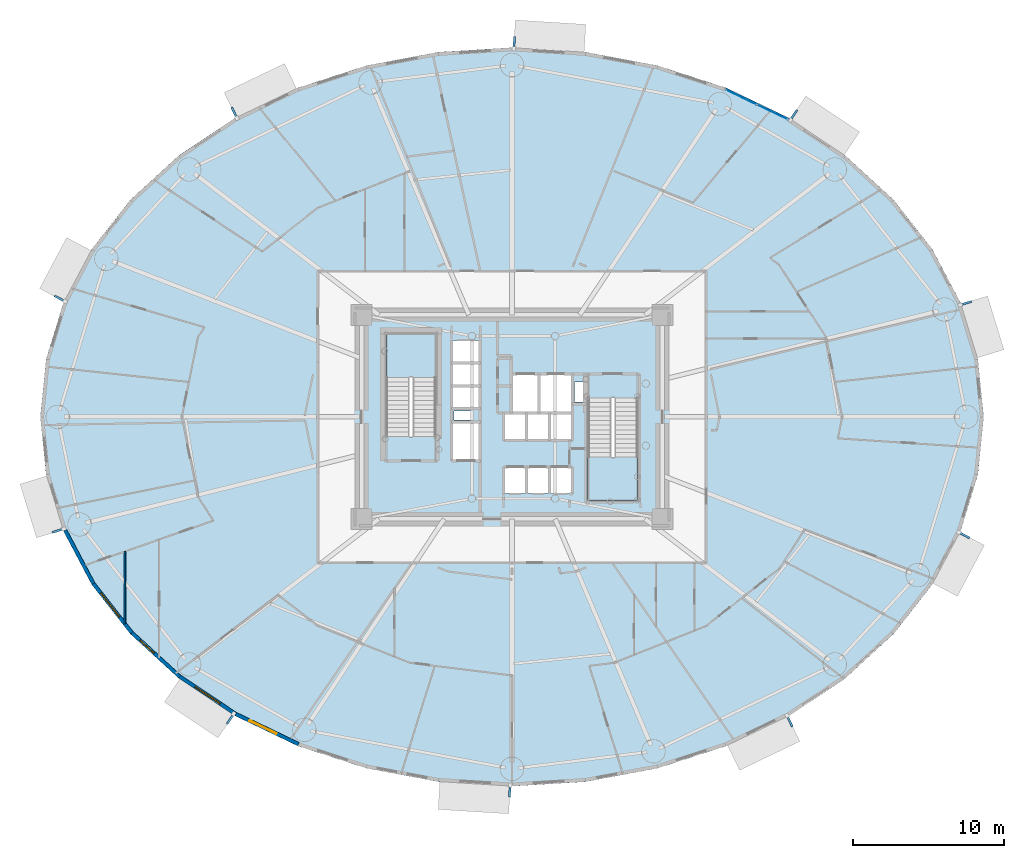
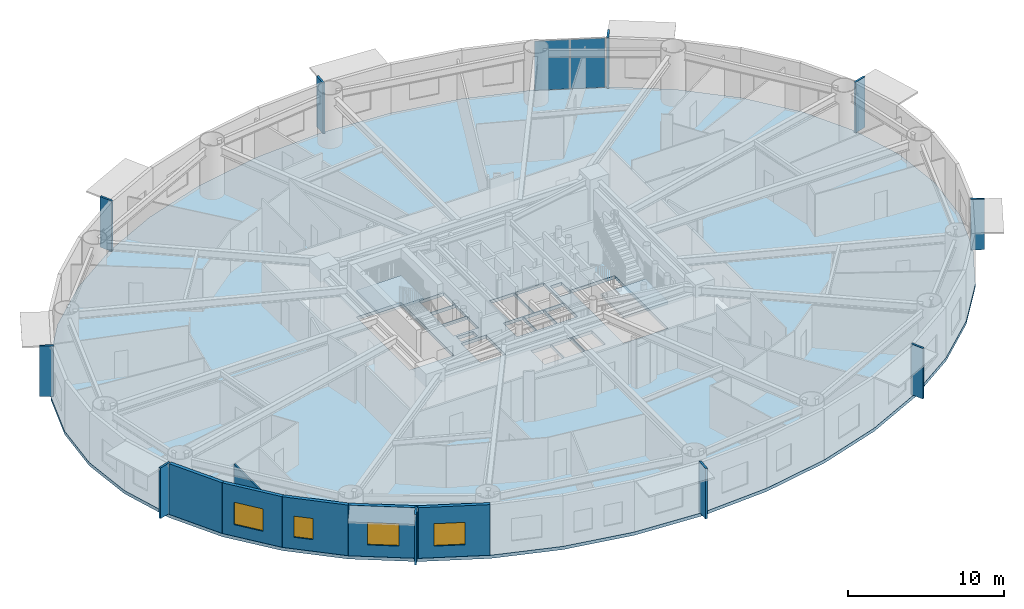
# One storey, part 7 of 21: 12 plates, 6 walls, 4 windows, 3 slabs, 4 openings, 3 elements without a shape of their own.
"""IFC4 building model written with IfcOpenShell, lengths in metres."""

from ifc_helpers import new_model, si_unit, direction, frame, frame_2d, origin, origin_2d, place, context, subcontext, project, spatial, polyline, rectangle, outline, extrude, source, transform, mapped, material, layer, layer_set, type_object, element, fill, aggregate, save


model = new_model("IFC4")

# Units and contexts
model_context = context("Model", 3, precision=1e-05, world=origin(), true_north=direction((0.0, 1.0)))
body_context = subcontext(model_context, "Body", "Model", "MODEL_VIEW")
ifc_project = project(units=[si_unit("LENGTHUNIT", "METRE"), si_unit("AREAUNIT", "SQUARE_METRE"), si_unit("VOLUMEUNIT", "CUBIC_METRE"), si_unit("PLANEANGLEUNIT", "RADIAN"), si_unit("MASSUNIT", "GRAM", prefix="KILO")], contexts=[model_context])

# Site, building, storey
site_placement = place(None, origin())
site = spatial("IfcSite", under=ifc_project, at=site_placement, CompositionType="ELEMENT")
building_placement = place(site_placement, origin())
building = spatial("IfcBuilding", under=site, at=building_placement, Name="Linh Dai School and Residence Tower", CompositionType="ELEMENT")
storey_placement = place(building_placement, frame((0.0, 0.0, 78.60009765625)))
storey = spatial("IfcBuildingStorey", under=building, at=storey_placement, Name="L18", CompositionType="ELEMENT", Elevation=78.60009765625)

# Slab
ifc_material_1 = material(Name="Concrete B45 (C35/45)", Category="concrete")
ifc_layer_1 = layer(ifc_material_1, 0.25)
ifc_layer_set_1 = layer_set([ifc_layer_1], Name="Concrete B45 (C35/45)")
slab_type_1 = type_object("IfcSlabType", Name="SLB-FLR250", PredefinedType="FLOOR", material=ifc_layer_set_1)
slab_1_placement = place(storey_placement, frame((0.0, 0.0, -0.25)))
element("IfcSlab", 1, at=slab_1_placement, inside=storey, type_object=slab_type_1, Name="L18 Composite Structural Floor Slab", PredefinedType="FLOOR", context=body_context, shape_type="SweptSolid", body=[
    extrude(outline(polyline([(67.199951171875, 27.0), (66.81591796875, 30.82177734375), (65.6728515625, 34.54931640625), (63.79931640625, 38.091064453125), (61.2412109375, 41.359619140625), (58.061767578125, 44.274658203125), (54.3388671875, 46.764404296875), (50.16455078125, 48.767333984375), (45.641357421875, 50.234375), (40.880859375, 51.129150390625), (36.0, 51.429931640625), (31.119140625, 51.129150390625), (26.358642578125, 50.234375), (21.83544921875, 48.767333984375), (17.6611328125, 46.764404296875), (13.938232421875, 44.274658203125), (10.7587890625, 41.359619140625), (8.20068359375, 38.091064453125), (6.3271484375, 34.54931640625), (5.18408203125, 30.82177734375), (4.800048828125, 27.0), (5.18408203125, 23.17822265625), (6.3271484375, 19.45068359375), (8.20068359375, 15.908935546875), (10.7587890625, 12.640380859375), (13.938232421875, 9.725341796875), (17.6611328125, 7.235595703125), (21.83544921875, 5.232666015625), (26.358642578125, 3.765625), (31.119140625, 2.870849609375), (36.0, 2.570068359375), (40.880859375, 2.870849609375), (45.641357421875, 3.765625), (50.16455078125, 5.232666015625), (54.3388671875, 7.235595703125), (58.061767578125, 9.725341796875), (61.2412109375, 12.640380859375), (63.79931640625, 15.908935546875), (65.6728515625, 19.45068359375), (66.81591796875, 23.17822265625), (67.199951171875, 27.0)]), holes=[polyline([(30.97998046875, 25.699951171875), (30.97998046875, 32.5), (27.679931640625, 32.5), (27.679931640625, 25.699951171875), (30.97998046875, 25.699951171875)]), polyline([(41.02001953125, 28.25), (41.02001953125, 21.449951171875), (44.320068359375, 21.449951171875), (44.320068359375, 28.25), (41.02001953125, 28.25)]), polyline([(35.97998046875, 27.280029296875), (37.77001953125, 27.280029296875), (37.77001953125, 29.820068359375), (35.97998046875, 29.820068359375), (35.97998046875, 27.280029296875)]), polyline([(32.030029296875, 24.1298828125), (33.8701171875, 24.1298828125), (33.8701171875, 26.6201171875), (32.030029296875, 26.6201171875), (32.030029296875, 24.1298828125)]), polyline([(37.830078125, 27.280029296875), (39.969970703125, 27.280029296875), (39.969970703125, 29.820068359375), (37.830078125, 29.820068359375), (37.830078125, 27.280029296875)]), polyline([(35.47998046875, 21.929931640625), (36.929931640625, 21.929931640625), (36.929931640625, 23.669921875), (35.47998046875, 23.669921875), (35.47998046875, 21.929931640625)]), polyline([(36.989990234375, 21.929931640625), (38.449951171875, 21.929931640625), (38.449951171875, 23.669921875), (36.989990234375, 23.669921875), (36.989990234375, 21.929931640625)]), polyline([(38.510009765625, 21.929931640625), (39.969970703125, 21.929931640625), (39.969970703125, 23.669921875), (38.510009765625, 23.669921875), (38.510009765625, 21.929931640625)]), polyline([(32.030029296875, 27.580078125), (33.8701171875, 27.580078125), (33.8701171875, 29.030029296875), (32.030029296875, 29.030029296875), (32.030029296875, 27.580078125)]), polyline([(32.030029296875, 29.090087890625), (33.8701171875, 29.090087890625), (33.8701171875, 30.550048828125), (32.030029296875, 30.550048828125), (32.030029296875, 29.090087890625)]), polyline([(32.030029296875, 30.610107421875), (33.8701171875, 30.610107421875), (33.8701171875, 32.070068359375), (32.030029296875, 32.070068359375), (32.030029296875, 30.610107421875)]), polyline([(35.47998046875, 25.47998046875), (36.929931640625, 25.47998046875), (36.929931640625, 27.219970703125), (35.47998046875, 27.219970703125), (35.47998046875, 25.47998046875)]), polyline([(36.989990234375, 25.47998046875), (38.449951171875, 25.47998046875), (38.449951171875, 27.219970703125), (36.989990234375, 27.219970703125), (36.989990234375, 25.47998046875)]), polyline([(38.510009765625, 25.47998046875), (39.969970703125, 25.47998046875), (39.969970703125, 27.219970703125), (38.510009765625, 27.219970703125), (38.510009765625, 25.47998046875)]), polyline([(40.14990234375, 28.0), (40.14990234375, 29.300048828125), (41.0, 29.300048828125), (41.0, 28.280029296875), (40.989990234375, 28.280029296875), (40.989990234375, 28.0), (40.14990234375, 28.0)]), polyline([(32.14990234375, 26.800048828125), (33.35009765625, 26.800048828125), (33.35009765625, 27.39990234375), (32.14990234375, 27.39990234375), (32.14990234375, 26.800048828125)])]), origin(), (0.0, 0.0, 1.0), 0.25),
])

# Stair, slab
stair_type = type_object("IfcStairType", Name="ST-DOG-1550-R1500", PredefinedType="HALF_TURN_STAIR", material=ifc_material_1)
stair_1_placement = place(storey_placement, origin())
stair_1 = element("IfcStair", 2, at=stair_1_placement, inside=storey, type_object=stair_type, Name="L18 Core Smokeproof Exit Stair ST1", PredefinedType="HALF_TURN_STAIR")
ifc_layer_2 = layer(ifc_material_1, 0.199951171875)
ifc_layer_set_2 = layer_set([ifc_layer_2], Name="Concrete B45 (C35/45)")
slab_type_2 = type_object("IfcSlabType", Name="SLB-ST-LANDING-200", PredefinedType="LANDING", material=ifc_layer_set_2)
slab_2_placement = place(storey_placement, frame((0.0, 0.0, 1.89990234375)))
slab_2 = element("IfcSlab", 3, at=slab_2_placement, type_object=slab_type_2, Name="ST1 landing 1", PredefinedType="LANDING", context=body_context, shape_type="SweptSolid", body=[
    extrude(outline(polyline([(30.97998046875, 29.60009765625), (30.97998046875, 32.5), (27.679931640625, 32.5), (27.679931640625, 29.60009765625), (30.97998046875, 29.60009765625)])), origin(), (0.0, 0.0, 1.0), 0.199951171875),
])
aggregate(stair_1, [slab_2])

stair_2_placement = place(storey_placement, origin())
stair_2 = element("IfcStair", 4, at=stair_2_placement, inside=storey, type_object=stair_type, Name="L18 Core Smokeproof Exit Stair ST2", PredefinedType="HALF_TURN_STAIR")
slab_3_placement = place(storey_placement, frame((0.0, 0.0, 1.89990234375)))
slab_3 = element("IfcSlab", 5, at=slab_3_placement, type_object=slab_type_2, Name="ST2 landing 1", PredefinedType="LANDING", context=body_context, shape_type="SweptSolid", body=[
    extrude(outline(polyline([(41.02001953125, 24.35009765625), (41.02001953125, 21.449951171875), (44.320068359375, 21.449951171875), (44.320068359375, 24.35009765625), (41.02001953125, 24.35009765625)])), origin(), (0.0, 0.0, 1.0), 0.199951171875),
])
aggregate(stair_2, [slab_3])

# Plates
ifc_material_2 = material(Name="Precast Concrete B45 (C35/45)", Category="concrete")
ifc_layer_3 = layer(ifc_material_2, 0.139892578125)
ifc_layer_set_3 = layer_set([ifc_layer_3], Name="Precast Concrete B45 (C35/45)")
plate_type_1 = type_object("IfcPlateType", Name="FIN-TC-900x140", PredefinedType="USERDEFINED", material=ifc_layer_set_3)
shared_shape_1 = source(origin(), body_context, "Body", "SweptSolid", [
    extrude(rectangle(XDim=0.89990234375, YDim=0.139892578125, at=origin_2d()), origin(), (0.0, 0.0, 1.0), 3.949951171875),
])
for number, where, z_axis, x_axis, name in (
    (6, (65.984619140625, 34.5068359375, 0.0), (0.0, 0.0, 1.0), (0.956067769001, 0.293145733514, 0.0), "L18 Precast Terracotta Radial Fin 02"),
    (7, (54.604736328125, 46.9296875, 0.0), (0.0, 0.0, 1.0), (0.555897899828, 0.831250578927, 0.0), "L18 Precast Terracotta Radial Fin 06"),
    (8, (36.14501953125, 51.706787109375, 0.0), (0.0, 0.0, 1.0), (0.061506595367, 0.998106677027, 0.0), "L18 Precast Terracotta Radial Fin 10"),
    (9, (17.65380859375, 47.0771484375, 0.0), (0.0, 0.0, 1.0), (-0.432603008528, 0.901584514626, 0.0), "L18 Precast Terracotta Radial Fin 14"),
    (10, (6.13623046875, 34.799072265625, 0.0), (0.0, 0.0, 1.0), (-0.883933862645, 0.467611940042, 0.0), "L18 Precast Terracotta Radial Fin 18"),
    (11, (6.015380859375, 19.4931640625, 0.0), (0.0, 0.0, 1.0), (-0.956067769001, -0.293145733514, 0.0), "L18 Precast Terracotta Radial Fin 22"),
    (12, (17.395263671875, 7.0703125, 0.0), (0.0, 0.0, 1.0), (-0.555897899828, -0.831250578927, 0.0), "L18 Precast Terracotta Radial Fin 26"),
    (13, (35.85498046875, 2.293212890625, 0.0), (0.0, 0.0, 1.0), (-0.061506595367, -0.998106677027, 0.0), "L18 Precast Terracotta Radial Fin 30"),
    (14, (54.34619140625, 6.9228515625, 0.0), (0.0, 0.0, 1.0), (0.432603008528, -0.901584514626, 0.0), "L18 Precast Terracotta Radial Fin 34"),
    (15, (65.86376953125, 19.200927734375, 0.0), (0.0, 0.0, 1.0), (0.883933862645, -0.467611940042, 0.0), "L18 Precast Terracotta Radial Fin 38"),
):
    element("IfcPlate", number, at=place(storey_placement, frame(where, z_axis=z_axis, x_axis=x_axis)), inside=storey, type_object=plate_type_1, Name=name, ObjectType="RADIAL FIN", PredefinedType="USERDEFINED", context=body_context, shape_type="MappedRepresentation", body=[
        mapped(shared_shape_1, transform((0.0, 0.0, 0.0), x_axis=(1.0, 0.0, 0.0), y_axis=(0.0, 1.0, 0.0), z_axis=(0.0, 0.0, 1.0), scale=1.0)),
    ])

# Curtain wall, plates
ifc_material_3 = material(Name="Aluminium Anodised Curtain Wall", Category="aluminium")
ifc_layer_4 = layer(ifc_material_3, 0.14990234375)
ifc_layer_set_4 = layer_set([ifc_layer_4], Name="Aluminium Anodised Curtain Wall")
curtain_wall_type = type_object("IfcCurtainWallType", Name="CW-SYS-4", PredefinedType="USERDEFINED", material=ifc_layer_set_4)
curtain_wall_placement = place(storey_placement, origin())
curtain_wall = element("IfcCurtainWall", 16, at=curtain_wall_placement, inside=storey, type_object=curtain_wall_type, Name="L18 CW4 Curtain Wall 07", ObjectType="RIBBON CURTAIN WALL", PredefinedType="USERDEFINED")
ifc_material_4 = material(Name="Double Low-E Insulated Glazing", Category="glass")
ifc_layer_5 = layer(ifc_material_4, 0.02587890625)
ifc_layer_set_5 = layer_set([ifc_layer_5], Name="Double Low-E Insulated Glazing")
plate_type_2 = type_object("IfcPlateType", Name="CW-SYS-4-PAN", PredefinedType="CURTAIN_PANEL", material=ifc_layer_set_5)
shared_shape_2 = source(origin(), body_context, "Body", "SweptSolid", [
    extrude(rectangle(XDim=2.228515625, YDim=0.02587890625, at=origin_2d()), origin(), (0.0, 0.0, 1.0), 3.845947265625),
])
plate_1_placement = place(storey_placement, frame((51.169677734375, 48.146728515625, 0.0517578125), z_axis=(0.0, 0.0, 1.0), x_axis=(0.901584514626, -0.432603008528, 0.0)))
plate_1 = element("IfcPlate", 17, at=plate_1_placement, type_object=plate_type_2, Name="CW4 panel 1.1", PredefinedType="CURTAIN_PANEL", context=body_context, shape_type="MappedRepresentation", body=[
    mapped(shared_shape_2, transform((0.0, 0.0, 0.0), x_axis=(1.0, 0.0, 0.0), y_axis=(0.0, 1.0, 0.0), z_axis=(0.0, 0.0, 1.0), scale=1.0)),
])
plate_2_placement = place(storey_placement, frame((53.2255859375, 47.16015625, 0.0517578125), z_axis=(0.0, 0.0, 1.0), x_axis=(0.901584514626, -0.432603008528, 0.0)))
plate_2 = element("IfcPlate", 18, at=plate_2_placement, type_object=plate_type_2, Name="CW4 panel 2.1", PredefinedType="CURTAIN_PANEL", context=body_context, shape_type="MappedRepresentation", body=[
    mapped(shared_shape_2, transform((0.0, 0.0, 0.0), x_axis=(1.0, 0.0, 0.0), y_axis=(0.0, 1.0, 0.0), z_axis=(0.0, 0.0, 1.0), scale=1.0)),
])
aggregate(curtain_wall, [plate_1, plate_2])

# Wall
ifc_layer_6 = layer(ifc_material_2, 0.239990234375)
ifc_layer_set_6 = layer_set([ifc_layer_6], Name="Precast Concrete B45 (C35/45)")
wall_type_1 = type_object("IfcWallType", Name="EW-TC-240", PredefinedType="SOLIDWALL", material=ifc_layer_set_6)
wall_1_placement = place(storey_placement, frame((8.305419921875, 15.977294921875, 0.0), z_axis=(0.0, 0.0, 1.0), x_axis=(-0.467662443071, 0.883907144072, 0.0)))
element("IfcWall", 19, at=wall_1_placement, inside=storey, type_object=wall_type_1, Name="L18 Terracotta Exterior Wall 23", PredefinedType="SOLIDWALL", context=body_context, shape_type="SweptSolid", body=[
    extrude(rectangle(XDim=3.983642578125, YDim=0.239990234375, at=frame_2d((1.99169921875, 0.0))), origin(), (0.0, 0.0, 1.0), 3.949951171875),
])

# Wall, opening, window
wall_2_placement = place(storey_placement, frame((10.850341796875, 12.725341796875, 0.0), z_axis=(0.0, 0.0, 1.0), x_axis=(-0.616295508253, 0.787514981767, 0.0)))
wall_2 = element("IfcWall", 20, at=wall_2_placement, inside=storey, type_object=wall_type_1, Name="L18 Terracotta Exterior Wall 24", PredefinedType="SOLIDWALL", context=body_context, shape_type="SweptSolid", body=[
    extrude(rectangle(XDim=4.12939453125, YDim=0.239990234375, at=frame_2d((2.064697265625, 0.0))), origin(), (0.0, 0.0, 1.0), 3.949951171875),
])
opening_1_placement = place(wall_2_placement, frame((1.32470703125, 0.0, 0.89990234375)))
opening_1 = element("IfcOpeningElement", 21, at=opening_1_placement, cuts=wall_2, Name="Opening W1", PredefinedType="OPENING", context=body_context, shape_type="SweptSolid", body=[
    extrude(rectangle(XDim=2.0, YDim=1.75, at=origin_2d()), frame((1.0, 0.1298828125, 0.875), z_axis=(0.0, -1.0, 0.0), x_axis=(1.0, 0.0, 0.0)), (0.0, 0.0, 1.0), 0.260009765625),
])
window_type_1 = type_object("IfcWindowType", Name="WN-RES-2000x1750", PartitioningType="DOUBLE_PANEL_VERTICAL", PredefinedType="WINDOW", material=ifc_material_4)
shared_shape_3 = source(origin(), body_context, "Body", "SweptSolid", [
    extrude(rectangle(XDim=2.0, YDim=1.75, at=origin_2d()), frame((1.0, 0.030029296875, 0.875), z_axis=(0.0, -1.0, 0.0), x_axis=(1.0, 0.0, 0.0)), (0.0, 0.0, 1.0), 0.06005859375),
])
window_1_placement = place(opening_1_placement, origin())
window_1 = element("IfcWindow", 22, at=window_1_placement, inside=storey, type_object=window_type_1, Name="L18 Exterior Window 24.1", OverallHeight=1.75, OverallWidth=2.0, PartitioningType="DOUBLE_PANEL_VERTICAL", PredefinedType="WINDOW", context=body_context, shape_type="MappedRepresentation", body=[
    mapped(shared_shape_3, transform((0.0, 0.0, 0.0), x_axis=(1.0, 0.0, 0.0), y_axis=(0.0, 1.0, 0.0), z_axis=(0.0, 0.0, 1.0), scale=1.0)),
])
fill(opening_1, window_1)

wall_3_placement = place(storey_placement, frame((14.015380859375, 9.82373046875, 0.0), z_axis=(0.0, 0.0, 1.0), x_axis=(-0.737116376281, 0.67576582321, 0.0)))
wall_3 = element("IfcWall", 23, at=wall_3_placement, inside=storey, type_object=wall_type_1, Name="L18 Terracotta Exterior Wall 25", PredefinedType="SOLIDWALL", context=body_context, shape_type="SweptSolid", body=[
    extrude(rectangle(XDim=4.293701171875, YDim=0.239990234375, at=frame_2d((2.14697265625, 0.0))), origin(), (0.0, 0.0, 1.0), 3.949951171875),
])
opening_2_placement = place(wall_3_placement, frame((2.300048828125, 0.0, 0.89990234375)))
opening_2 = element("IfcOpeningElement", 24, at=opening_2_placement, cuts=wall_3, Name="Opening W3", PredefinedType="OPENING", context=body_context, shape_type="SweptSolid", body=[
    extrude(rectangle(XDim=1.25, YDim=1.64990234375, at=origin_2d()), frame((0.625, 0.1298828125, 0.824951171875), z_axis=(0.0, -1.0, 0.0), x_axis=(1.0, 0.0, 0.0)), (0.0, 0.0, 1.0), 0.260009765625),
])
window_type_2 = type_object("IfcWindowType", Name="WN-RES-1250x1650", PartitioningType="SINGLE_PANEL", PredefinedType="WINDOW", material=ifc_material_4)
shared_shape_4 = source(origin(), body_context, "Body", "SweptSolid", [
    extrude(rectangle(XDim=1.25, YDim=1.64990234375, at=origin_2d()), frame((0.625, 0.030029296875, 0.824951171875), z_axis=(0.0, -1.0, 0.0), x_axis=(1.0, 0.0, 0.0)), (0.0, 0.0, 1.0), 0.06005859375),
])
window_2_placement = place(opening_2_placement, origin())
window_2 = element("IfcWindow", 25, at=window_2_placement, inside=storey, type_object=window_type_2, Name="L18 Exterior Window 25.1", OverallHeight=1.64990234375, OverallWidth=1.25, PartitioningType="SINGLE_PANEL", PredefinedType="WINDOW", context=body_context, shape_type="MappedRepresentation", body=[
    mapped(shared_shape_4, transform((0.0, 0.0, 0.0), x_axis=(1.0, 0.0, 0.0), y_axis=(0.0, 1.0, 0.0), z_axis=(0.0, 0.0, 1.0), scale=1.0)),
])
fill(opening_2, window_2)

wall_4_placement = place(storey_placement, frame((17.722900390625, 7.34423828125, 0.0), z_axis=(0.0, 0.0, 1.0), x_axis=(-0.831240982525, 0.555912249343, 0.0)))
wall_4 = element("IfcWall", 26, at=wall_4_placement, inside=storey, type_object=wall_type_1, Name="L18 Terracotta Exterior Wall 26", PredefinedType="SOLIDWALL", context=body_context, shape_type="SweptSolid", body=[
    extrude(rectangle(XDim=4.460205078125, YDim=0.239990234375, at=frame_2d((2.22998046875, 0.0))), origin(), (0.0, 0.0, 1.0), 3.949951171875),
])
opening_3_placement = place(wall_4_placement, frame((1.22998046875, 0.0, 0.89990234375)))
opening_3 = element("IfcOpeningElement", 27, at=opening_3_placement, cuts=wall_4, Name="Opening W1", PredefinedType="OPENING", context=body_context, shape_type="SweptSolid", body=[
    extrude(rectangle(XDim=2.0, YDim=1.75, at=origin_2d()), frame((1.0, 0.1298828125, 0.875), z_axis=(0.0, -1.0, 0.0), x_axis=(1.0, 0.0, 0.0)), (0.0, 0.0, 1.0), 0.260009765625),
])
window_3_placement = place(opening_3_placement, origin())
window_3 = element("IfcWindow", 28, at=window_3_placement, inside=storey, type_object=window_type_1, Name="L18 Exterior Window 26.1", OverallHeight=1.75, OverallWidth=2.0, PartitioningType="DOUBLE_PANEL_VERTICAL", PredefinedType="WINDOW", context=body_context, shape_type="MappedRepresentation", body=[
    mapped(shared_shape_3, transform((0.0, 0.0, 0.0), x_axis=(1.0, 0.0, 0.0), y_axis=(0.0, 1.0, 0.0), z_axis=(0.0, 0.0, 1.0), scale=1.0)),
])
fill(opening_3, window_3)

wall_5_placement = place(storey_placement, frame((21.8818359375, 5.348876953125, 0.0), z_axis=(0.0, 0.0, 1.0), x_axis=(-0.901601503137, 0.432567601123, 0.0)))
wall_5 = element("IfcWall", 29, at=wall_5_placement, inside=storey, type_object=wall_type_1, Name="L18 Terracotta Exterior Wall 27", PredefinedType="SOLIDWALL", context=body_context, shape_type="SweptSolid", body=[
    extrude(rectangle(XDim=4.61279296875, YDim=0.239990234375, at=frame_2d((2.306396484375, 0.0))), origin(), (0.0, 0.0, 1.0), 3.949951171875),
])
opening_4_placement = place(wall_5_placement, frame((1.608642578125, 0.0, 0.89990234375)))
opening_4 = element("IfcOpeningElement", 30, at=opening_4_placement, cuts=wall_5, Name="Opening W1", PredefinedType="OPENING", context=body_context, shape_type="SweptSolid", body=[
    extrude(rectangle(XDim=2.0, YDim=1.75, at=origin_2d()), frame((1.0, 0.1298828125, 0.875), z_axis=(0.0, -1.0, 0.0), x_axis=(1.0, 0.0, 0.0)), (0.0, 0.0, 1.0), 0.260009765625),
])
window_4_placement = place(opening_4_placement, origin())
window_4 = element("IfcWindow", 31, at=window_4_placement, inside=storey, type_object=window_type_1, Name="L18 Exterior Window 27.1", OverallHeight=1.75, OverallWidth=2.0, PartitioningType="DOUBLE_PANEL_VERTICAL", PredefinedType="WINDOW", context=body_context, shape_type="MappedRepresentation", body=[
    mapped(shared_shape_3, transform((0.0, 0.0, 0.0), x_axis=(1.0, 0.0, 0.0), y_axis=(0.0, 1.0, 0.0), z_axis=(0.0, 0.0, 1.0), scale=1.0)),
])
fill(opening_4, window_4)

# Wall
ifc_material_5 = material(Name="Gypsum Plasterboard Acoustic Stud Partition", Category="masonry")
ifc_layer_7 = layer(ifc_material_5, 0.10009765625)
ifc_layer_set_7 = layer_set([ifc_layer_7], Name="Gypsum Plasterboard Acoustic Stud Partition")
wall_type_2 = type_object("IfcWallType", Name="IW-UNIT-100", PredefinedType="PARTITIONING", material=ifc_layer_set_7)
wall_6_placement = place(storey_placement, frame((10.386962890625, 13.309326171875, 0.0), z_axis=(0.0, 0.0, 1.0), x_axis=(0.0, 1.0, 0.0)))
element("IfcWall", 32, at=wall_6_placement, inside=storey, type_object=wall_type_2, Name="L18 Interior Partition Wall 006", PredefinedType="PARTITIONING", context=body_context, shape_type="SweptSolid", body=[
    extrude(rectangle(XDim=4.79150390625, YDim=0.10009765625, at=frame_2d((2.395751953125, 0.0))), origin(), (0.0, 0.0, 1.0), 3.3349609375),
])

save(model, "model.ifc")
